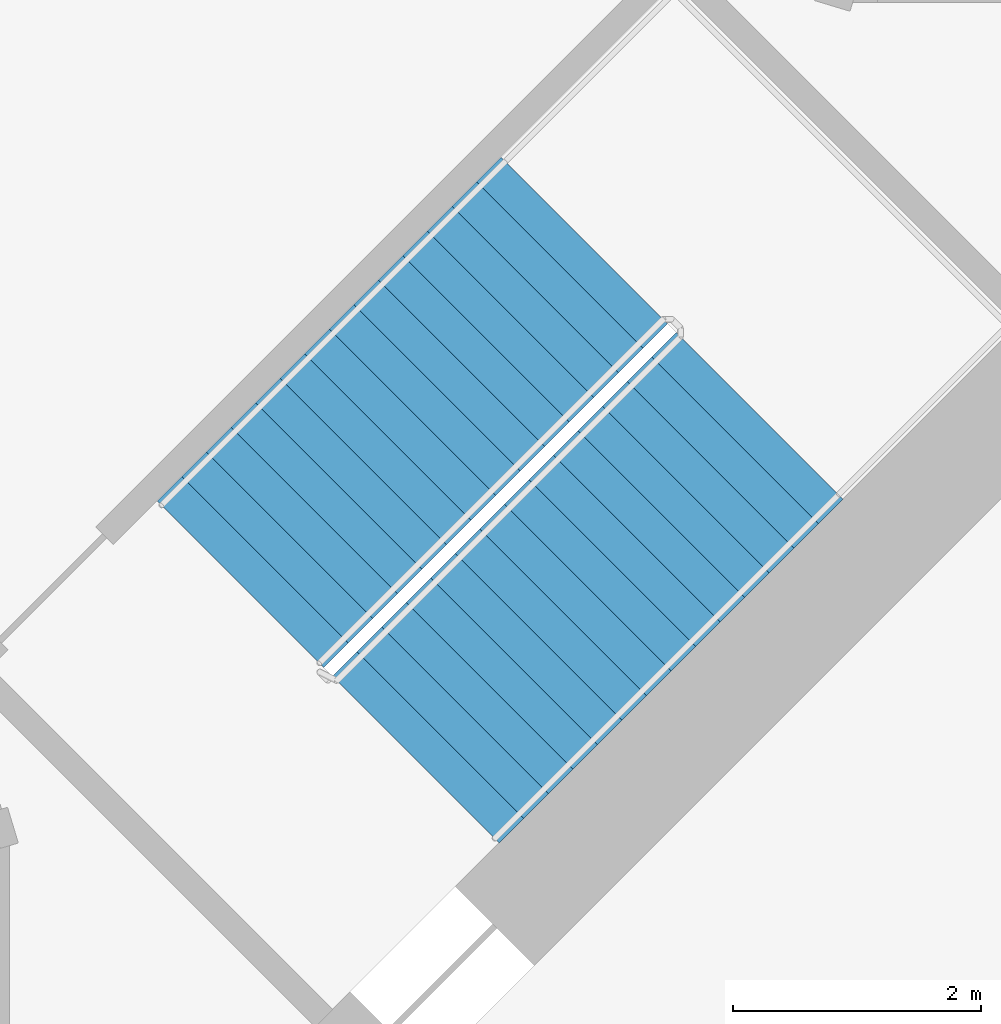
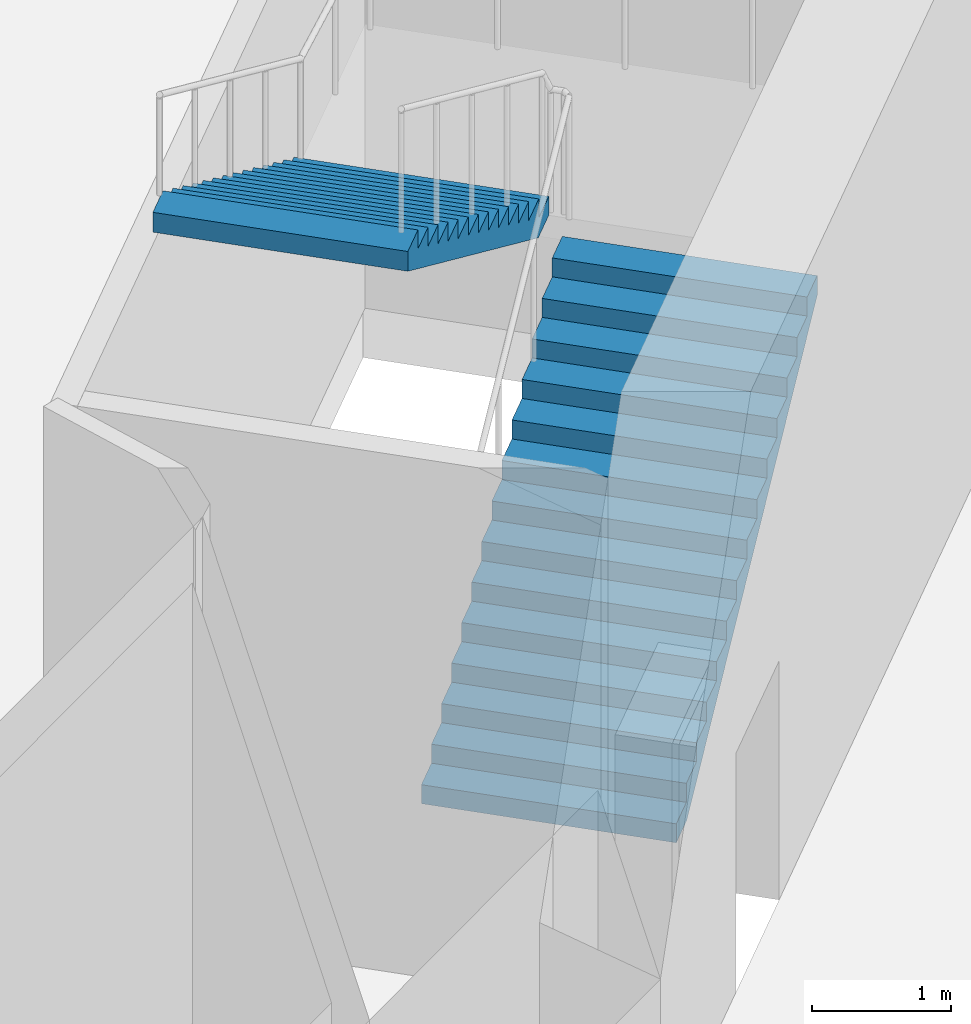
# One storey, part 12 of 24: 2 stair flights, 1 element without a shape of its own.
"""IFC4 building model written with IfcOpenShell, lengths in metres."""

from ifc_helpers import new_model, si_unit, direction, frame, origin, place, context, subcontext, project, spatial, triangles, material, type_object, element, aggregate, save


model = new_model("IFC4")

# Units and contexts
model_context = context("Model", 3, precision=1e-05, world=origin(), true_north=direction((0.0, 1.0)))
body_context = subcontext(model_context, "Body", "Model", "MODEL_VIEW")
ifc_project = project(units=[si_unit("LENGTHUNIT", "METRE"), si_unit("AREAUNIT", "SQUARE_METRE"), si_unit("VOLUMEUNIT", "CUBIC_METRE"), si_unit("PLANEANGLEUNIT", "RADIAN"), si_unit("MASSUNIT", "GRAM", prefix="KILO")], contexts=[model_context])

# Site, building, storey
site_placement = place(None, origin())
site = spatial("IfcSite", under=ifc_project, at=site_placement, CompositionType="ELEMENT")
building_placement = place(site_placement, origin())
building = spatial("IfcBuilding", under=site, at=building_placement, Name="Verdalira Terraces Hotel", CompositionType="ELEMENT")
storey_placement = place(building_placement, frame((0.0, 0.0, 14.0)))
storey = spatial("IfcBuildingStorey", under=building, at=storey_placement, Name="L02", CompositionType="ELEMENT", Elevation=14.0)

# Stair, stair flights
ifc_material_1 = material(Name="Concrete C40", Category="concrete")
stair_type = type_object("IfcStairType", Name="Core stair 30 risers 1900 mm wide", PredefinedType="HALF_TURN_STAIR", material=ifc_material_1)
stair_placement = place(storey_placement, origin())
stair = element("IfcStair", 1, at=stair_placement, inside=storey, type_object=stair_type, Name="L02 Exit stair ST3", PredefinedType="HALF_TURN_STAIR")
ifc_material_2 = material(Name="Concrete C40", Category="concrete")
stair_flight_type = type_object("IfcStairFlightType", Name="Core stair flight 30 risers 1900 mm wide", PredefinedType="STRAIGHT", material=ifc_material_2)
stair_flight_1_placement = place(storey_placement, frame((7.177246, -10.005615, 0.0), z_axis=(0.0, 0.0, 1.0), x_axis=(0.707106781, 0.707106781, 0.0)))
stair_flight_1 = element("IfcStairFlight", 2, at=stair_flight_1_placement, type_object=stair_flight_type, Name="ST3 flight 1", NumberOfRisers=15, NumberOfTreads=14, PredefinedType="STRAIGHT", RiserHeight=0.166666667, TreadLength=0.28, context=body_context, shape_type="Tessellation", body=[
    triangles([(0.0, 0.949951, 0.0), (0.292969, 0.949951, 0.0), (3.919922, 0.949951, 2.158936), (0.0, -0.949951, 0.0), (0.292969, -0.949951, 0.0), (3.919922, -0.949951, 2.158936), (3.919922, 0.949951, 2.333252), (3.639893, 0.949951, 2.333252), (3.919922, -0.949951, 2.333252), (3.639893, -0.949951, 2.333252), (3.639893, 0.949951, 2.166748), (3.639893, -0.949951, 2.166748), (3.360107, 0.949951, 2.166748), (3.360107, -0.949951, 2.166748), (3.360107, 0.949951, 2.0), (3.360107, -0.949951, 2.0), (3.080078, 0.949951, 2.0), (3.080078, 0.949951, 1.833252), (3.080078, -0.949951, 2.0), (3.080078, -0.949951, 1.833252), (2.800049, 0.949951, 1.833252), (2.800049, 0.949951, 1.666748), (2.800049, -0.949951, 1.833252), (2.800049, -0.949951, 1.666748), (2.52002, 0.949951, 1.666748), (2.52002, 0.949951, 1.5), (2.52002, -0.949951, 1.666748), (2.52002, -0.949951, 1.5), (2.23999, 0.949951, 1.5), (2.23999, 0.949951, 1.333252), (2.23999, -0.949951, 1.5), (2.23999, -0.949951, 1.333252), (1.959961, 0.949951, 1.333252), (1.959961, 0.949951, 1.166748), (1.959961, -0.949951, 1.333252), (1.959961, -0.949951, 1.166748), (1.679932, 0.949951, 1.166748), (1.679932, 0.949951, 1.0), (1.679932, -0.949951, 1.166748), (1.679932, -0.949951, 1.0), (1.399902, 0.949951, 1.0), (1.399902, 0.949951, 0.833252), (1.399902, -0.949951, 1.0), (1.399902, -0.949951, 0.833252), (1.120117, 0.949951, 0.833252), (1.120117, 0.949951, 0.666748), (1.120117, -0.949951, 0.833252), (1.120117, -0.949951, 0.666748), (0.840088, 0.949951, 0.666748), (0.840088, 0.949951, 0.5), (0.840088, -0.949951, 0.666748), (0.840088, -0.949951, 0.5), (0.560059, 0.949951, 0.5), (0.560059, 0.949951, 0.333252), (0.560059, -0.949951, 0.5), (0.560059, -0.949951, 0.333252), (0.280029, 0.949951, 0.333252), (0.280029, 0.949951, 0.166748), (0.280029, -0.949951, 0.333252), (0.280029, -0.949951, 0.166748), (0.0, 0.949951, 0.166748), (0.0, -0.949951, 0.166748), (0.0, -0.890579, 0.0), (0.0, -0.890579, 0.166748), (0.0, -0.831207, 0.0), (0.0, -0.831207, 0.166748), (0.0, -0.771835, 0.0), (0.0, -0.771835, 0.166748), (0.0, -0.712463, 0.0), (0.0, -0.712463, 0.166748), (0.0, -0.653091, 0.0), (0.0, -0.653091, 0.166748), (0.0, -0.593719, 0.0), (0.0, -0.593719, 0.166748), (0.0, -0.534348, 0.0), (0.0, -0.534348, 0.166748), (0.0, -0.474976, 0.0), (0.0, -0.474976, 0.166748), (0.0, -0.415604, 0.0), (0.0, -0.415604, 0.166748), (0.0, -0.356232, 0.0), (0.0, -0.356232, 0.166748), (0.0, -0.29686, 0.0), (0.0, -0.29686, 0.166748), (0.0, -0.237488, 0.0), (0.0, -0.237488, 0.166748), (0.0, -0.178116, 0.0), (0.0, -0.178116, 0.166748), (0.0, -0.118744, 0.0), (0.0, -0.118744, 0.166748), (0.0, -0.059372, 0.0), (0.0, -0.059372, 0.166748), (0.0, 0.0, 0.0), (0.0, 0.0, 0.166748), (0.0, 0.059372, 0.0), (0.0, 0.059372, 0.166748), (0.0, 0.118744, 0.0), (0.0, 0.118744, 0.166748), (0.0, 0.178116, 0.0), (0.0, 0.178116, 0.166748), (0.0, 0.237488, 0.0), (0.0, 0.237488, 0.166748), (0.0, 0.29686, 0.0), (0.0, 0.29686, 0.166748), (0.0, 0.356232, 0.0), (0.0, 0.356232, 0.166748), (0.0, 0.415604, 0.0), (0.0, 0.415604, 0.166748), (0.0, 0.474976, 0.0), (0.0, 0.474976, 0.166748), (0.0, 0.534348, 0.0), (0.0, 0.534348, 0.166748), (0.0, 0.593719, 0.0), (0.0, 0.593719, 0.166748), (0.0, 0.653091, 0.0), (0.0, 0.653091, 0.166748), (0.0, 0.712463, 0.0), (0.0, 0.712463, 0.166748), (0.0, 0.771835, 0.0), (0.0, 0.771835, 0.166748), (0.0, 0.831207, 0.0), (0.0, 0.831207, 0.166748), (0.0, 0.890579, 0.0), (0.0, 0.890579, 0.166748), (3.919922, -0.890579, 2.333252), (3.919922, -0.831207, 2.333252), (3.919922, -0.771835, 2.333252), (3.919922, -0.712463, 2.333252), (3.919922, -0.653091, 2.333252), (3.919922, -0.593719, 2.333252), (3.919922, -0.534348, 2.333252), (3.919922, -0.474976, 2.333252), (3.919922, -0.415604, 2.333252), (3.919922, -0.356232, 2.333252), (3.919922, -0.29686, 2.333252), (3.919922, -0.237488, 2.333252), (3.919922, -0.178116, 2.333252), (3.919922, -0.118744, 2.333252), (3.919922, -0.059372, 2.333252), (3.919922, 0.0, 2.333252), (3.919922, 0.059372, 2.333252), (3.919922, 0.118744, 2.333252), (3.919922, 0.178116, 2.333252), (3.919922, 0.237488, 2.333252), (3.919922, 0.29686, 2.333252), (3.919922, 0.356232, 2.333252), (3.919922, 0.415604, 2.333252), (3.919922, 0.474976, 2.333252), (3.919922, 0.534348, 2.333252), (3.919922, 0.593719, 2.333252), (3.919922, 0.653091, 2.333252), (3.919922, 0.712463, 2.333252), (3.919922, 0.771835, 2.333252), (3.919922, 0.831207, 2.333252), (3.919922, 0.890579, 2.333252), (3.919922, -0.890579, 2.158936), (3.919922, -0.831207, 2.158936), (3.919922, -0.771835, 2.158936), (3.919922, -0.712463, 2.158936), (3.919922, -0.653091, 2.158936), (3.919922, -0.593719, 2.158936), (3.919922, -0.534348, 2.158936), (3.919922, -0.474976, 2.158936), (3.919922, -0.415604, 2.158936), (3.919922, -0.356232, 2.158936), (3.919922, -0.29686, 2.158936), (3.919922, -0.237488, 2.158936), (3.919922, -0.178116, 2.158936), (3.919922, -0.118744, 2.158936), (3.919922, -0.059372, 2.158936), (3.919922, 0.0, 2.158936), (3.919922, 0.059372, 2.158936), (3.919922, 0.118744, 2.158936), (3.919922, 0.178116, 2.158936), (3.919922, 0.237488, 2.158936), (3.919922, 0.29686, 2.158936), (3.919922, 0.356232, 2.158936), (3.919922, 0.415604, 2.158936), (3.919922, 0.474976, 2.158936), (3.919922, 0.534348, 2.158936), (3.919922, 0.593719, 2.158936), (3.919922, 0.653091, 2.158936), (3.919922, 0.712463, 2.158936), (3.919922, 0.771835, 2.158936), (3.919922, 0.831207, 2.158936), (3.919922, 0.890579, 2.158936)], [[1, 3, 2], [4, 5, 6], [3, 8, 7], [6, 9, 10], [3, 11, 8], [6, 10, 12], [3, 13, 11], [6, 12, 14], [3, 15, 13], [6, 14, 16], [15, 18, 17], [16, 19, 20], [3, 18, 15], [6, 16, 20], [18, 22, 21], [20, 23, 24], [3, 22, 18], [6, 20, 24], [22, 26, 25], [24, 27, 28], [3, 26, 22], [6, 24, 28], [26, 30, 29], [28, 31, 32], [3, 30, 26], [6, 28, 32], [30, 34, 33], [32, 35, 36], [3, 34, 30], [6, 32, 36], [34, 38, 37], [36, 39, 40], [3, 38, 34], [6, 36, 40], [38, 42, 41], [40, 43, 44], [3, 42, 38], [6, 40, 44], [42, 46, 45], [44, 47, 48], [3, 46, 42], [6, 44, 48], [46, 50, 49], [48, 51, 52], [3, 50, 46], [6, 48, 52], [50, 54, 53], [52, 55, 56], [3, 54, 50], [6, 52, 56], [1, 54, 3], [4, 6, 56], [54, 58, 57], [56, 59, 60], [1, 58, 54], [4, 56, 60], [58, 1, 61], [60, 62, 4], [4, 64, 63], [4, 62, 64], [63, 66, 65], [63, 64, 66], [65, 68, 67], [65, 66, 68], [67, 70, 69], [67, 68, 70], [69, 72, 71], [69, 70, 72], [71, 74, 73], [71, 72, 74], [73, 76, 75], [73, 74, 76], [75, 78, 77], [75, 76, 78], [77, 80, 79], [77, 78, 80], [79, 82, 81], [79, 80, 82], [81, 84, 83], [81, 82, 84], [83, 86, 85], [83, 84, 86], [85, 88, 87], [85, 86, 88], [87, 90, 89], [87, 88, 90], [89, 92, 91], [89, 90, 92], [91, 94, 93], [91, 92, 94], [93, 96, 95], [93, 94, 96], [95, 98, 97], [95, 96, 98], [97, 100, 99], [97, 98, 100], [99, 102, 101], [99, 100, 102], [101, 104, 103], [101, 102, 104], [103, 106, 105], [103, 104, 106], [105, 108, 107], [105, 106, 108], [107, 110, 109], [107, 108, 110], [109, 112, 111], [109, 110, 112], [111, 114, 113], [111, 112, 114], [113, 116, 115], [113, 114, 116], [115, 118, 117], [115, 116, 118], [117, 120, 119], [117, 118, 120], [119, 122, 121], [119, 120, 122], [121, 124, 123], [121, 122, 124], [123, 61, 1], [123, 124, 61], [62, 60, 64], [64, 60, 66], [66, 60, 68], [68, 60, 70], [70, 60, 72], [72, 60, 74], [74, 60, 76], [76, 60, 78], [78, 60, 80], [80, 60, 82], [82, 60, 84], [84, 60, 86], [86, 60, 88], [88, 60, 90], [90, 60, 92], [92, 60, 94], [94, 60, 96], [96, 60, 98], [98, 60, 100], [100, 60, 102], [102, 60, 104], [104, 60, 106], [106, 60, 108], [108, 60, 110], [110, 60, 112], [112, 60, 114], [114, 60, 116], [116, 60, 118], [118, 60, 120], [120, 60, 122], [122, 60, 124], [124, 60, 61], [61, 60, 58], [60, 57, 58], [60, 59, 57], [59, 54, 57], [59, 56, 54], [56, 53, 54], [56, 55, 53], [55, 50, 53], [55, 52, 50], [52, 49, 50], [52, 51, 49], [51, 46, 49], [51, 48, 46], [48, 45, 46], [48, 47, 45], [47, 42, 45], [47, 44, 42], [44, 41, 42], [44, 43, 41], [43, 38, 41], [43, 40, 38], [40, 37, 38], [40, 39, 37], [39, 34, 37], [39, 36, 34], [36, 33, 34], [36, 35, 33], [35, 30, 33], [35, 32, 30], [32, 29, 30], [32, 31, 29], [31, 26, 29], [31, 28, 26], [28, 25, 26], [28, 27, 25], [27, 22, 25], [27, 24, 22], [24, 21, 22], [24, 23, 21], [23, 18, 21], [23, 20, 18], [20, 17, 18], [20, 19, 17], [19, 15, 17], [19, 16, 15], [16, 13, 15], [16, 14, 13], [14, 11, 13], [14, 12, 11], [12, 8, 11], [12, 10, 8], [9, 125, 10], [125, 126, 10], [126, 127, 10], [127, 128, 10], [128, 129, 10], [129, 130, 10], [130, 131, 10], [131, 132, 10], [132, 133, 10], [133, 134, 10], [134, 135, 10], [135, 136, 10], [136, 137, 10], [137, 138, 10], [138, 139, 10], [139, 140, 10], [140, 141, 10], [141, 142, 10], [142, 143, 10], [143, 144, 10], [144, 145, 10], [145, 146, 10], [146, 147, 10], [147, 148, 10], [148, 149, 10], [149, 150, 10], [150, 151, 10], [151, 152, 10], [152, 153, 10], [153, 154, 10], [154, 155, 10], [155, 7, 10], [7, 8, 10], [9, 156, 125], [9, 6, 156], [125, 157, 126], [125, 156, 157], [126, 158, 127], [126, 157, 158], [127, 159, 128], [127, 158, 159], [128, 160, 129], [128, 159, 160], [129, 161, 130], [129, 160, 161], [130, 162, 131], [130, 161, 162], [131, 163, 132], [131, 162, 163], [132, 164, 133], [132, 163, 164], [133, 165, 134], [133, 164, 165], [134, 166, 135], [134, 165, 166], [135, 167, 136], [135, 166, 167], [136, 168, 137], [136, 167, 168], [137, 169, 138], [137, 168, 169], [138, 170, 139], [138, 169, 170], [139, 171, 140], [139, 170, 171], [140, 172, 141], [140, 171, 172], [141, 173, 142], [141, 172, 173], [142, 174, 143], [142, 173, 174], [143, 175, 144], [143, 174, 175], [144, 176, 145], [144, 175, 176], [145, 177, 146], [145, 176, 177], [146, 178, 147], [146, 177, 178], [147, 179, 148], [147, 178, 179], [148, 180, 149], [148, 179, 180], [149, 181, 150], [149, 180, 181], [150, 182, 151], [150, 181, 182], [151, 183, 152], [151, 182, 183], [152, 184, 153], [152, 183, 184], [153, 185, 154], [153, 184, 185], [154, 186, 155], [154, 185, 186], [155, 3, 7], [155, 186, 3], [6, 5, 156], [156, 5, 157], [157, 5, 158], [158, 5, 159], [159, 5, 160], [160, 5, 161], [161, 5, 162], [162, 5, 163], [163, 5, 164], [164, 5, 165], [165, 5, 166], [166, 5, 167], [167, 5, 168], [168, 5, 169], [169, 5, 170], [170, 5, 171], [171, 5, 172], [172, 5, 173], [173, 5, 174], [174, 5, 175], [175, 5, 176], [176, 5, 177], [177, 5, 178], [178, 5, 179], [179, 5, 180], [180, 5, 181], [181, 5, 182], [182, 5, 183], [183, 5, 184], [184, 5, 185], [185, 5, 186], [186, 5, 3], [3, 5, 2], [4, 63, 5], [63, 65, 5], [65, 67, 5], [67, 69, 5], [69, 71, 5], [71, 73, 5], [73, 75, 5], [75, 77, 5], [77, 79, 5], [79, 81, 5], [81, 83, 5], [83, 85, 5], [85, 87, 5], [87, 89, 5], [89, 91, 5], [91, 93, 5], [93, 95, 5], [95, 97, 5], [97, 99, 5], [99, 101, 5], [101, 103, 5], [103, 105, 5], [105, 107, 5], [107, 109, 5], [109, 111, 5], [111, 113, 5], [113, 115, 5], [115, 117, 5], [117, 119, 5], [119, 121, 5], [121, 123, 5], [123, 1, 5], [1, 2, 5]], closed=True),
])
stair_flight_2_placement = place(storey_placement, frame((8.534668, -5.81958, 2.5), z_axis=(0.0, 0.0, 1.0), x_axis=(-0.707106781, -0.707106781, 0.0)))
stair_flight_2 = element("IfcStairFlight", 3, at=stair_flight_2_placement, type_object=stair_flight_type, Name="ST3 flight 2", NumberOfRisers=15, NumberOfTreads=14, PredefinedType="STRAIGHT", RiserHeight=0.166666667, TreadLength=0.28, context=body_context, shape_type="Tessellation", body=[
    triangles([(0.0, 0.949951, 0.0), (0.292969, 0.949951, 0.0), (3.919922, 0.949951, 2.158936), (0.0, -0.949951, 0.0), (0.292969, -0.949951, 0.0), (3.919922, -0.949951, 2.158936), (3.919922, 0.949951, 2.333252), (3.639893, 0.949951, 2.333252), (3.919922, -0.949951, 2.333252), (3.639893, -0.949951, 2.333252), (3.639893, 0.949951, 2.166748), (3.639893, -0.949951, 2.166748), (3.360107, 0.949951, 2.166748), (3.360107, -0.949951, 2.166748), (3.360107, 0.949951, 2.0), (3.360107, -0.949951, 2.0), (3.080078, 0.949951, 2.0), (3.080078, 0.949951, 1.833252), (3.080078, -0.949951, 2.0), (3.080078, -0.949951, 1.833252), (2.800049, 0.949951, 1.833252), (2.800049, 0.949951, 1.666748), (2.800049, -0.949951, 1.833252), (2.800049, -0.949951, 1.666748), (2.52002, 0.949951, 1.666748), (2.52002, 0.949951, 1.5), (2.52002, -0.949951, 1.666748), (2.52002, -0.949951, 1.5), (2.23999, 0.949951, 1.5), (2.23999, 0.949951, 1.333252), (2.23999, -0.949951, 1.5), (2.23999, -0.949951, 1.333252), (1.959961, 0.949951, 1.333252), (1.959961, 0.949951, 1.166748), (1.959961, -0.949951, 1.333252), (1.959961, -0.949951, 1.166748), (1.679932, 0.949951, 1.166748), (1.679932, 0.949951, 1.0), (1.679932, -0.949951, 1.166748), (1.679932, -0.949951, 1.0), (1.399902, 0.949951, 1.0), (1.399902, 0.949951, 0.833252), (1.399902, -0.949951, 1.0), (1.399902, -0.949951, 0.833252), (1.120117, 0.949951, 0.833252), (1.120117, 0.949951, 0.666748), (1.120117, -0.949951, 0.833252), (1.120117, -0.949951, 0.666748), (0.840088, 0.949951, 0.666748), (0.840088, 0.949951, 0.5), (0.840088, -0.949951, 0.666748), (0.840088, -0.949951, 0.5), (0.560059, 0.949951, 0.5), (0.560059, 0.949951, 0.333252), (0.560059, -0.949951, 0.5), (0.560059, -0.949951, 0.333252), (0.280029, 0.949951, 0.333252), (0.280029, 0.949951, 0.166748), (0.280029, -0.949951, 0.333252), (0.280029, -0.949951, 0.166748), (0.0, 0.949951, 0.166748), (0.0, -0.949951, 0.166748), (0.0, -0.890579, 0.0), (0.0, -0.890579, 0.166748), (0.0, -0.831207, 0.0), (0.0, -0.831207, 0.166748), (0.0, -0.771835, 0.0), (0.0, -0.771835, 0.166748), (0.0, -0.712463, 0.0), (0.0, -0.712463, 0.166748), (0.0, -0.653091, 0.0), (0.0, -0.653091, 0.166748), (0.0, -0.593719, 0.0), (0.0, -0.593719, 0.166748), (0.0, -0.534348, 0.0), (0.0, -0.534348, 0.166748), (0.0, -0.474976, 0.0), (0.0, -0.474976, 0.166748), (0.0, -0.415604, 0.0), (0.0, -0.415604, 0.166748), (0.0, -0.356232, 0.0), (0.0, -0.356232, 0.166748), (0.0, -0.29686, 0.0), (0.0, -0.29686, 0.166748), (0.0, -0.237488, 0.0), (0.0, -0.237488, 0.166748), (0.0, -0.178116, 0.0), (0.0, -0.178116, 0.166748), (0.0, -0.118744, 0.0), (0.0, -0.118744, 0.166748), (0.0, -0.059372, 0.0), (0.0, -0.059372, 0.166748), (0.0, 0.0, 0.0), (0.0, 0.0, 0.166748), (0.0, 0.059372, 0.0), (0.0, 0.059372, 0.166748), (0.0, 0.118744, 0.0), (0.0, 0.118744, 0.166748), (0.0, 0.178116, 0.0), (0.0, 0.178116, 0.166748), (0.0, 0.237488, 0.0), (0.0, 0.237488, 0.166748), (0.0, 0.29686, 0.0), (0.0, 0.29686, 0.166748), (0.0, 0.356232, 0.0), (0.0, 0.356232, 0.166748), (0.0, 0.415604, 0.0), (0.0, 0.415604, 0.166748), (0.0, 0.474976, 0.0), (0.0, 0.474976, 0.166748), (0.0, 0.534348, 0.0), (0.0, 0.534348, 0.166748), (0.0, 0.593719, 0.0), (0.0, 0.593719, 0.166748), (0.0, 0.653091, 0.0), (0.0, 0.653091, 0.166748), (0.0, 0.712463, 0.0), (0.0, 0.712463, 0.166748), (0.0, 0.771835, 0.0), (0.0, 0.771835, 0.166748), (0.0, 0.831207, 0.0), (0.0, 0.831207, 0.166748), (0.0, 0.890579, 0.0), (0.0, 0.890579, 0.166748), (3.919922, -0.890579, 2.333252), (3.919922, -0.831207, 2.333252), (3.919922, -0.771835, 2.333252), (3.919922, -0.712463, 2.333252), (3.919922, -0.653091, 2.333252), (3.919922, -0.593719, 2.333252), (3.919922, -0.534348, 2.333252), (3.919922, -0.474976, 2.333252), (3.919922, -0.415604, 2.333252), (3.919922, -0.356232, 2.333252), (3.919922, -0.29686, 2.333252), (3.919922, -0.237488, 2.333252), (3.919922, -0.178116, 2.333252), (3.919922, -0.118744, 2.333252), (3.919922, -0.059372, 2.333252), (3.919922, 0.0, 2.333252), (3.919922, 0.059372, 2.333252), (3.919922, 0.118744, 2.333252), (3.919922, 0.178116, 2.333252), (3.919922, 0.237488, 2.333252), (3.919922, 0.29686, 2.333252), (3.919922, 0.356232, 2.333252), (3.919922, 0.415604, 2.333252), (3.919922, 0.474976, 2.333252), (3.919922, 0.534348, 2.333252), (3.919922, 0.593719, 2.333252), (3.919922, 0.653091, 2.333252), (3.919922, 0.712463, 2.333252), (3.919922, 0.771835, 2.333252), (3.919922, 0.831207, 2.333252), (3.919922, 0.890579, 2.333252), (3.919922, -0.890579, 2.158936), (3.919922, -0.831207, 2.158936), (3.919922, -0.771835, 2.158936), (3.919922, -0.712463, 2.158936), (3.919922, -0.653091, 2.158936), (3.919922, -0.593719, 2.158936), (3.919922, -0.534348, 2.158936), (3.919922, -0.474976, 2.158936), (3.919922, -0.415604, 2.158936), (3.919922, -0.356232, 2.158936), (3.919922, -0.29686, 2.158936), (3.919922, -0.237488, 2.158936), (3.919922, -0.178116, 2.158936), (3.919922, -0.118744, 2.158936), (3.919922, -0.059372, 2.158936), (3.919922, 0.0, 2.158936), (3.919922, 0.059372, 2.158936), (3.919922, 0.118744, 2.158936), (3.919922, 0.178116, 2.158936), (3.919922, 0.237488, 2.158936), (3.919922, 0.29686, 2.158936), (3.919922, 0.356232, 2.158936), (3.919922, 0.415604, 2.158936), (3.919922, 0.474976, 2.158936), (3.919922, 0.534348, 2.158936), (3.919922, 0.593719, 2.158936), (3.919922, 0.653091, 2.158936), (3.919922, 0.712463, 2.158936), (3.919922, 0.771835, 2.158936), (3.919922, 0.831207, 2.158936), (3.919922, 0.890579, 2.158936)], [[1, 3, 2], [4, 5, 6], [3, 8, 7], [6, 9, 10], [3, 11, 8], [6, 10, 12], [3, 13, 11], [6, 12, 14], [3, 15, 13], [6, 14, 16], [15, 18, 17], [16, 19, 20], [3, 18, 15], [6, 16, 20], [18, 22, 21], [20, 23, 24], [3, 22, 18], [6, 20, 24], [22, 26, 25], [24, 27, 28], [3, 26, 22], [6, 24, 28], [26, 30, 29], [28, 31, 32], [3, 30, 26], [6, 28, 32], [30, 34, 33], [32, 35, 36], [3, 34, 30], [6, 32, 36], [34, 38, 37], [36, 39, 40], [3, 38, 34], [6, 36, 40], [38, 42, 41], [40, 43, 44], [3, 42, 38], [6, 40, 44], [42, 46, 45], [44, 47, 48], [3, 46, 42], [6, 44, 48], [46, 50, 49], [48, 51, 52], [3, 50, 46], [6, 48, 52], [50, 54, 53], [52, 55, 56], [3, 54, 50], [6, 52, 56], [1, 54, 3], [4, 6, 56], [54, 58, 57], [56, 59, 60], [1, 58, 54], [4, 56, 60], [58, 1, 61], [60, 62, 4], [4, 64, 63], [4, 62, 64], [63, 66, 65], [63, 64, 66], [65, 68, 67], [65, 66, 68], [67, 70, 69], [67, 68, 70], [69, 72, 71], [69, 70, 72], [71, 74, 73], [71, 72, 74], [73, 76, 75], [73, 74, 76], [75, 78, 77], [75, 76, 78], [77, 80, 79], [77, 78, 80], [79, 82, 81], [79, 80, 82], [81, 84, 83], [81, 82, 84], [83, 86, 85], [83, 84, 86], [85, 88, 87], [85, 86, 88], [87, 90, 89], [87, 88, 90], [89, 92, 91], [89, 90, 92], [91, 94, 93], [91, 92, 94], [93, 96, 95], [93, 94, 96], [95, 98, 97], [95, 96, 98], [97, 100, 99], [97, 98, 100], [99, 102, 101], [99, 100, 102], [101, 104, 103], [101, 102, 104], [103, 106, 105], [103, 104, 106], [105, 108, 107], [105, 106, 108], [107, 110, 109], [107, 108, 110], [109, 112, 111], [109, 110, 112], [111, 114, 113], [111, 112, 114], [113, 116, 115], [113, 114, 116], [115, 118, 117], [115, 116, 118], [117, 120, 119], [117, 118, 120], [119, 122, 121], [119, 120, 122], [121, 124, 123], [121, 122, 124], [123, 61, 1], [123, 124, 61], [62, 60, 64], [64, 60, 66], [66, 60, 68], [68, 60, 70], [70, 60, 72], [72, 60, 74], [74, 60, 76], [76, 60, 78], [78, 60, 80], [80, 60, 82], [82, 60, 84], [84, 60, 86], [86, 60, 88], [88, 60, 90], [90, 60, 92], [92, 60, 94], [94, 60, 96], [96, 60, 98], [98, 60, 100], [100, 60, 102], [102, 60, 104], [104, 60, 106], [106, 60, 108], [108, 60, 110], [110, 60, 112], [112, 60, 114], [114, 60, 116], [116, 60, 118], [118, 60, 120], [120, 60, 122], [122, 60, 124], [124, 60, 61], [61, 60, 58], [60, 57, 58], [60, 59, 57], [59, 54, 57], [59, 56, 54], [56, 53, 54], [56, 55, 53], [55, 50, 53], [55, 52, 50], [52, 49, 50], [52, 51, 49], [51, 46, 49], [51, 48, 46], [48, 45, 46], [48, 47, 45], [47, 42, 45], [47, 44, 42], [44, 41, 42], [44, 43, 41], [43, 38, 41], [43, 40, 38], [40, 37, 38], [40, 39, 37], [39, 34, 37], [39, 36, 34], [36, 33, 34], [36, 35, 33], [35, 30, 33], [35, 32, 30], [32, 29, 30], [32, 31, 29], [31, 26, 29], [31, 28, 26], [28, 25, 26], [28, 27, 25], [27, 22, 25], [27, 24, 22], [24, 21, 22], [24, 23, 21], [23, 18, 21], [23, 20, 18], [20, 17, 18], [20, 19, 17], [19, 15, 17], [19, 16, 15], [16, 13, 15], [16, 14, 13], [14, 11, 13], [14, 12, 11], [12, 8, 11], [12, 10, 8], [9, 125, 10], [125, 126, 10], [126, 127, 10], [127, 128, 10], [128, 129, 10], [129, 130, 10], [130, 131, 10], [131, 132, 10], [132, 133, 10], [133, 134, 10], [134, 135, 10], [135, 136, 10], [136, 137, 10], [137, 138, 10], [138, 139, 10], [139, 140, 10], [140, 141, 10], [141, 142, 10], [142, 143, 10], [143, 144, 10], [144, 145, 10], [145, 146, 10], [146, 147, 10], [147, 148, 10], [148, 149, 10], [149, 150, 10], [150, 151, 10], [151, 152, 10], [152, 153, 10], [153, 154, 10], [154, 155, 10], [155, 7, 10], [7, 8, 10], [9, 156, 125], [9, 6, 156], [125, 157, 126], [125, 156, 157], [126, 158, 127], [126, 157, 158], [127, 159, 128], [127, 158, 159], [128, 160, 129], [128, 159, 160], [129, 161, 130], [129, 160, 161], [130, 162, 131], [130, 161, 162], [131, 163, 132], [131, 162, 163], [132, 164, 133], [132, 163, 164], [133, 165, 134], [133, 164, 165], [134, 166, 135], [134, 165, 166], [135, 167, 136], [135, 166, 167], [136, 168, 137], [136, 167, 168], [137, 169, 138], [137, 168, 169], [138, 170, 139], [138, 169, 170], [139, 171, 140], [139, 170, 171], [140, 172, 141], [140, 171, 172], [141, 173, 142], [141, 172, 173], [142, 174, 143], [142, 173, 174], [143, 175, 144], [143, 174, 175], [144, 176, 145], [144, 175, 176], [145, 177, 146], [145, 176, 177], [146, 178, 147], [146, 177, 178], [147, 179, 148], [147, 178, 179], [148, 180, 149], [148, 179, 180], [149, 181, 150], [149, 180, 181], [150, 182, 151], [150, 181, 182], [151, 183, 152], [151, 182, 183], [152, 184, 153], [152, 183, 184], [153, 185, 154], [153, 184, 185], [154, 186, 155], [154, 185, 186], [155, 3, 7], [155, 186, 3], [6, 5, 156], [156, 5, 157], [157, 5, 158], [158, 5, 159], [159, 5, 160], [160, 5, 161], [161, 5, 162], [162, 5, 163], [163, 5, 164], [164, 5, 165], [165, 5, 166], [166, 5, 167], [167, 5, 168], [168, 5, 169], [169, 5, 170], [170, 5, 171], [171, 5, 172], [172, 5, 173], [173, 5, 174], [174, 5, 175], [175, 5, 176], [176, 5, 177], [177, 5, 178], [178, 5, 179], [179, 5, 180], [180, 5, 181], [181, 5, 182], [182, 5, 183], [183, 5, 184], [184, 5, 185], [185, 5, 186], [186, 5, 3], [3, 5, 2], [4, 63, 5], [63, 65, 5], [65, 67, 5], [67, 69, 5], [69, 71, 5], [71, 73, 5], [73, 75, 5], [75, 77, 5], [77, 79, 5], [79, 81, 5], [81, 83, 5], [83, 85, 5], [85, 87, 5], [87, 89, 5], [89, 91, 5], [91, 93, 5], [93, 95, 5], [95, 97, 5], [97, 99, 5], [99, 101, 5], [101, 103, 5], [103, 105, 5], [105, 107, 5], [107, 109, 5], [109, 111, 5], [111, 113, 5], [113, 115, 5], [115, 117, 5], [117, 119, 5], [119, 121, 5], [121, 123, 5], [123, 1, 5], [1, 2, 5]], closed=True),
])
aggregate(stair, [stair_flight_1, stair_flight_2])

save(model, "model.ifc")
